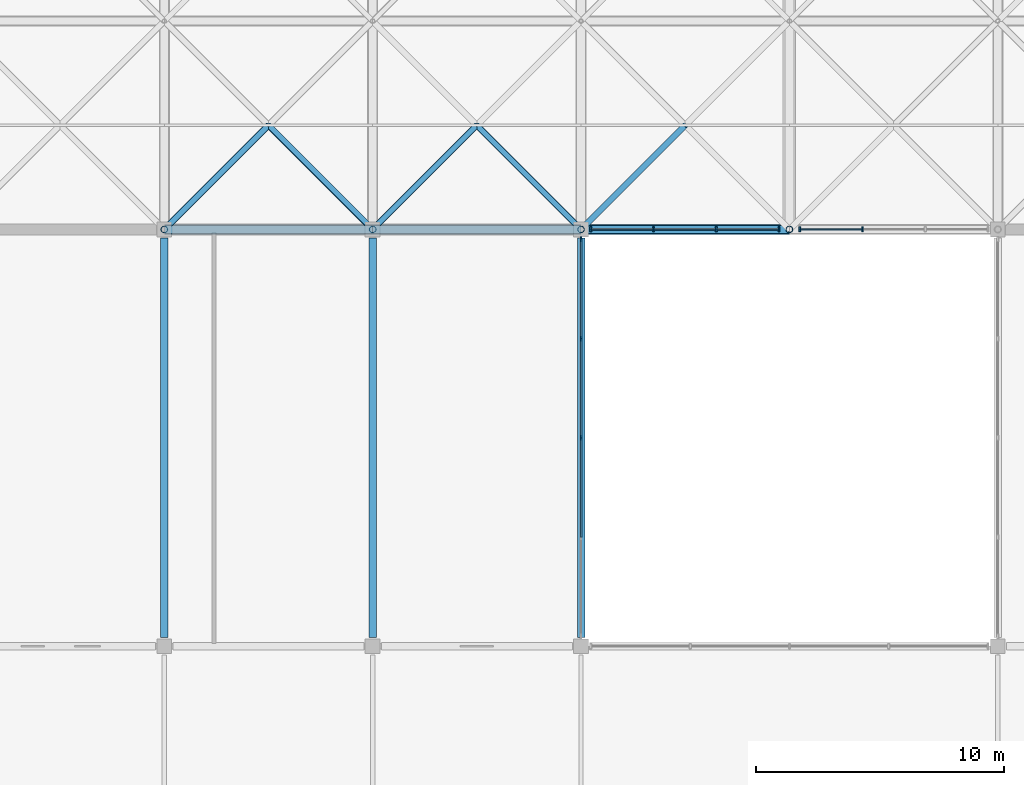
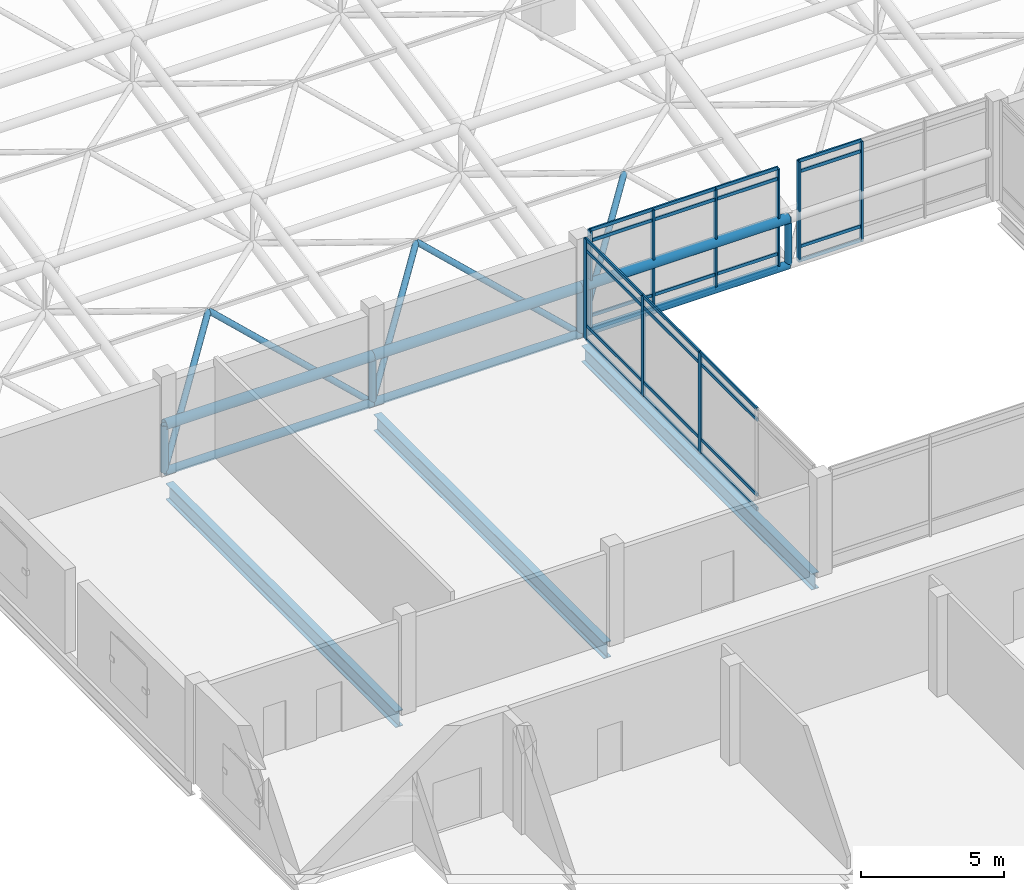
# One storey, part 9 of 81: 52 members, 3 beams, 3 elements without a shape of their own.
"""IFC4 building model written with IfcOpenShell, lengths in metres."""

import ifcopenshell
import ifcopenshell.guid

model = None  # the IFC model being written
_history = None  # IfcOwnerHistory: only IFC2X3 demands one
_inside = {}  # id of a spatial element -> (the spatial element, [elements in it])
_under = {}  # id of a project, library or spatial element -> (it, [spatial elements below it])
_declared = {}  # id of a project -> (the project, [libraries it declares])
_typed = {}  # id of a type object -> (the type object, [elements of that type])
_made_of = {}  # id of a material, layer set ... -> (it, [elements and type objects made of it])


def new_model(schema):
    """Start an empty IFC model of exactly this schema.

    Asked for "IFC4X3", IfcOpenShell would pick the latest addendum, in which some entities
    have other attributes; the version numbers below select the first issue.
    IFC2X3 requires an IfcOwnerHistory on every rooted entity: one is made here for all.
    """
    global model, _history
    if schema == "IFC4X3":
        model = ifcopenshell.file(schema_version=(4, 3, 0, 0))
    else:
        model = ifcopenshell.file(schema=schema)
    _inside.clear()
    _under.clear()
    _declared.clear()
    _typed.clear()
    _made_of.clear()
    _history = None
    if model.schema == "IFC2X3":
        org = make("IfcOrganization", Name="unknown")
        user = make(
            "IfcPersonAndOrganization",
            ThePerson=make("IfcPerson", FamilyName="unknown"),
            TheOrganization=org,
        )
        app = make(
            "IfcApplication",
            ApplicationDeveloper=org,
            Version="unknown",
            ApplicationFullName="unknown",
            ApplicationIdentifier="unknown",
        )
        _history = make(
            "IfcOwnerHistory",
            OwningUser=user,
            OwningApplication=app,
            ChangeAction="ADDED",
            CreationDate=0,
        )
    return model


def make(cls, **values):
    """One entity of the class cls with the attributes given. An attribute that is None is left unset."""
    return model.create_entity(
        cls, **{name: value for name, value in values.items() if value is not None}
    )


def rooted(cls, **values):
    """An entity with a GlobalId (a new one), such as an element, a storey or a relation."""
    return make(cls, GlobalId=ifcopenshell.guid.new(), OwnerHistory=_history, **values)


def si_unit(unit_type, name, prefix=None):
    """IfcSIUnit, for example si_unit("LENGTHUNIT", "METRE", prefix="MILLI")."""
    return make("IfcSIUnit", UnitType=unit_type, Prefix=prefix, Name=name)


def assignment(units):
    """IfcUnitAssignment: the units of a project."""
    return None if units is None else make("IfcUnitAssignment", Units=units)


def point(xyz):
    """IfcCartesianPoint."""
    return None if xyz is None else make("IfcCartesianPoint", Coordinates=xyz)


def direction(xyz):
    """IfcDirection."""
    return None if xyz is None else make("IfcDirection", DirectionRatios=xyz)


def frame(location, z_axis=None, x_axis=None):
    """IfcAxis2Placement3D, a coordinate frame: its origin and axes. An axis left out is left unset."""
    return make(
        "IfcAxis2Placement3D",
        Location=point(location),
        Axis=direction(z_axis),
        RefDirection=direction(x_axis),
    )


def frame_2d(location, x_axis=None):
    """IfcAxis2Placement2D, a coordinate frame in the plane: its origin and x axis."""
    return make(
        "IfcAxis2Placement2D", Location=point(location), RefDirection=direction(x_axis)
    )


def origin():
    """The frame at (0, 0, 0) with its axes left unset."""
    return frame((0.0, 0.0, 0.0))


def origin_2d():
    """The frame at (0, 0) in the plane with its x axis left unset."""
    return frame_2d((0.0, 0.0))


def place(relative_to, where):
    """IfcLocalPlacement: puts the frame where relative to a parent placement (None: the world)."""
    return make(
        "IfcLocalPlacement", PlacementRelTo=relative_to, RelativePlacement=where
    )


def context(
    kind, dimensions, precision=None, world=None, true_north=None, identifier=None
):
    """IfcGeometricRepresentationContext, for example the 3D "Model" context."""
    return make(
        "IfcGeometricRepresentationContext",
        ContextIdentifier=identifier,
        ContextType=kind,
        CoordinateSpaceDimension=dimensions,
        Precision=precision,
        WorldCoordinateSystem=world,
        TrueNorth=true_north,
    )


def subcontext(parent, identifier, kind, view, scale=None):
    """IfcGeometricRepresentationSubContext, for example "Body" below "Model"."""
    return make(
        "IfcGeometricRepresentationSubContext",
        ContextIdentifier=identifier,
        ContextType=kind,
        ParentContext=parent,
        TargetScale=scale,
        TargetView=view,
    )


def project(units=None, contexts=None):
    """IfcProject with its units and contexts."""
    return rooted(
        "IfcProject",
        Name="project",
        RepresentationContexts=contexts,
        UnitsInContext=assignment(units),
    )


def spatial(cls, under=None, at=None, **own):
    """A site, building, storey or space (cls), placed at a placement, below another one or the project."""
    s = rooted(cls, ObjectPlacement=at, **own)
    if under is not None:
        _under.setdefault(under.id(), (under, []))[1].append(s)
    return s


def profile(cls, at=None, kind="AREA", **sizes):
    """A parametric profile (cls). Its sizes go by their IFC names, for example OverallWidth=200.0."""
    return make(cls, ProfileType=kind, Position=at, **sizes)


def rectangle(**sizes):
    """IfcRectangleProfileDef."""
    return profile("IfcRectangleProfileDef", **sizes)


def hollow_circle(**sizes):
    """IfcCircleHollowProfileDef."""
    return profile("IfcCircleHollowProfileDef", **sizes)


def i_section(**sizes):
    """IfcIShapeProfileDef."""
    return profile("IfcIShapeProfileDef", **sizes)


def extrude(swept, where, along, depth):
    """IfcExtrudedAreaSolid: the profile swept, set in the frame where, extruded along a direction by depth."""
    return make(
        "IfcExtrudedAreaSolid",
        SweptArea=swept,
        Position=where,
        ExtrudedDirection=direction(along),
        Depth=depth,
    )


def shape(context_of_items, identifier, shape_type, items):
    """IfcShapeRepresentation: the items that make up one representation, for example the "Body"."""
    return make(
        "IfcShapeRepresentation",
        ContextOfItems=context_of_items,
        RepresentationIdentifier=identifier,
        RepresentationType=shape_type,
        Items=items,
    )


def material(Name=None, Category=None):
    """IfcMaterial."""
    return make("IfcMaterial", Name=Name, Category=Category)


def layer(
    of_material, thickness, ventilated=None, Name=None, Category=None, Priority=None
):
    """IfcMaterialLayer: one layer of a wall or slab, of a material (None: an air gap)."""
    return make(
        "IfcMaterialLayer",
        Material=of_material,
        LayerThickness=thickness,
        IsVentilated=ventilated,
        Name=Name,
        Category=Category,
        Priority=Priority,
    )


def layer_set(layers, Name=None):
    """IfcMaterialLayerSet."""
    return make("IfcMaterialLayerSet", MaterialLayers=layers, LayerSetName=Name)


def material_profile(
    of_material, cross_section, Name=None, Category=None, Priority=None
):
    """IfcMaterialProfile: a cross section and its material."""
    return make(
        "IfcMaterialProfile",
        Name=Name,
        Material=of_material,
        Profile=cross_section,
        Priority=Priority,
        Category=Category,
    )


def profile_set(profiles, Name=None, composite=None):
    """IfcMaterialProfileSet."""
    return make(
        "IfcMaterialProfileSet",
        Name=Name,
        MaterialProfiles=profiles,
        CompositeProfile=composite,
    )


def made_of(thing, what):
    """Note that an element or type object is made of a material, layer set ...; save() writes the relation."""
    if what is not None:
        _made_of.setdefault(what.id(), (what, []))[1].append(thing)
    return thing


def type_object(cls, material=None, **own):
    """A type object (cls), such as IfcWallType, which elements share."""
    return made_of(rooted(cls, **own), material)


def element(
    cls,
    number,
    at=None,
    inside=None,
    cuts=None,
    type_object=None,
    material=None,
    context=None,
    identifier="Body",
    shape_type=None,
    held_by="IfcProductDefinitionShape",
    body=None,
    shapes=None,
    **own,
):
    """One element of the class cls, such as IfcWall. Its Tag is "e" and its number.

    at: its placement. inside: the storey or other place that contains it. cuts: it is an
    opening in that element (IfcRelVoidsElement). A single representation is given by context,
    identifier, shape_type and body (its items); several are given by shapes. held_by: the class
    of the entity that holds the representations. save() writes the other relations.
    """
    e = rooted(cls, Tag="e%d" % number, ObjectPlacement=at, **own)
    if body is not None:
        shapes = [shape(context, identifier, shape_type, body)]
    if shapes is not None:
        e.Representation = make(held_by, Representations=shapes)
    if inside is not None:
        _inside.setdefault(inside.id(), (inside, []))[1].append(e)
    if cuts is not None:
        rooted(
            "IfcRelVoidsElement", RelatingBuildingElement=cuts, RelatedOpeningElement=e
        )
    if type_object is not None:
        _typed.setdefault(type_object.id(), (type_object, []))[1].append(e)
    return made_of(e, material)


def aggregate(whole, parts):
    """IfcRelAggregates: a whole, such as a stair, and the parts it consists of."""
    return rooted("IfcRelAggregates", RelatingObject=whole, RelatedObjects=parts)


def save(model, path):
    """Write the relations noted so far, then the file.

    IfcRelAggregates (storeys below a building ...), IfcRelContainedInSpatialStructure (elements
    in a storey), IfcRelDefinesByType, IfcRelAssociatesMaterial and IfcRelDeclares: one each for
    every whole, place, type object, material and project.
    """
    for whole, parts in _under.values():
        aggregate(whole, parts)
    for where, things in _inside.values():
        rooted(
            "IfcRelContainedInSpatialStructure",
            RelatedElements=things,
            RelatingStructure=where,
        )
    for kind, things in _typed.values():
        rooted("IfcRelDefinesByType", RelatedObjects=things, RelatingType=kind)
    for what, things in _made_of.values():
        rooted("IfcRelAssociatesMaterial", RelatedObjects=things, RelatingMaterial=what)
    for by, libraries in _declared.values():
        rooted("IfcRelDeclares", RelatingContext=by, RelatedDefinitions=libraries)
    model.write(path)


model = new_model("IFC4")

# Units and contexts
model_context = context("Model", 3, precision=1e-05, world=origin(), true_north=direction((0.0, 1.0)))
body_context = subcontext(model_context, "Body", "Model", "MODEL_VIEW")
ifc_project = project(units=[si_unit("LENGTHUNIT", "METRE"), si_unit("AREAUNIT", "SQUARE_METRE"), si_unit("VOLUMEUNIT", "CUBIC_METRE"), si_unit("PLANEANGLEUNIT", "RADIAN"), si_unit("MASSUNIT", "GRAM", prefix="KILO")], contexts=[model_context])

# Site, building, storey
site_placement = place(None, origin())
site = spatial("IfcSite", under=ifc_project, at=site_placement, CompositionType="ELEMENT")
building_placement = place(site_placement, origin())
building = spatial("IfcBuilding", under=site, at=building_placement, Name="Qawsi Khor Wholesale Market", CompositionType="ELEMENT")
storey_placement = place(building_placement, frame((0.0, 0.0, 16.199951171875)))
storey = spatial("IfcBuildingStorey", under=building, at=storey_placement, Name="L03", CompositionType="ELEMENT", Elevation=16.199951171875)

# Curtain wall, members
ifc_material_1 = material(Name="Aluminium Anodised Bronze", Category="aluminium")
ifc_layer = layer(ifc_material_1, 0.179931640625, Name="Aluminium Anodised Bronze")
ifc_layer_set = layer_set([ifc_layer], Name="Aluminium Anodised Bronze")
curtain_wall_type = type_object("IfcCurtainWallType", Name="Atrium Full-Height Curtain Wall CW-02", PredefinedType="NOTDEFINED", material=ifc_layer_set)
curtain_wall_1_placement = place(storey_placement, origin())
curtain_wall_1 = element("IfcCurtainWall", 1, at=curtain_wall_1_placement, inside=storey, type_object=curtain_wall_type, Name="Curtain wall CW-CW-02-L03-027", PredefinedType="NOTDEFINED")
ifc_material_profile_1 = material_profile(ifc_material_1, rectangle(XDim=0.070068359375, YDim=0.199951171875, at=origin_2d()), Name="ALU MULLION 70x200")
ifc_profile_set_1 = profile_set([ifc_material_profile_1], Name="Aluminium Anodised Bronze")
member_type_1 = type_object("IfcMemberType", Name="Curtain Wall Mullion CW-02 ALU MULLION 70x200", PredefinedType="MULLION", material=ifc_profile_set_1)
member_1_placement = place(storey_placement, frame((50.794921875, 42.0, -0.02001953125), z_axis=(0.0, 0.0, 1.0), x_axis=(1.0, 0.0, 0.0)))
member_1 = element("IfcMember", 2, at=member_1_placement, type_object=member_type_1, Name="Mullion CW-CW-02-L03-027-M00", PredefinedType="MULLION", context=body_context, shape_type="SweptSolid", body=[
    extrude(rectangle(XDim=0.070068359375, YDim=0.199951171875, at=origin_2d()), origin(), (0.0, 0.0, 1.0), 4.280029296875),
])
member_2_placement = place(storey_placement, frame((53.3232421875, 42.0, -0.02001953125), z_axis=(0.0, 0.0, 1.0), x_axis=(1.0, 0.0, 0.0)))
member_2 = element("IfcMember", 3, at=member_2_placement, type_object=member_type_1, Name="Mullion CW-CW-02-L03-027-M01", PredefinedType="MULLION", context=body_context, shape_type="SweptSolid", body=[
    extrude(rectangle(XDim=0.070068359375, YDim=0.199951171875, at=origin_2d()), origin(), (0.0, 0.0, 1.0), 4.280029296875),
])
member_3_placement = place(storey_placement, frame((55.851806640625, 42.0, -0.02001953125), z_axis=(0.0, 0.0, 1.0), x_axis=(1.0, 0.0, 0.0)))
member_3 = element("IfcMember", 4, at=member_3_placement, type_object=member_type_1, Name="Mullion CW-CW-02-L03-027-M02", PredefinedType="MULLION", context=body_context, shape_type="SweptSolid", body=[
    extrude(rectangle(XDim=0.070068359375, YDim=0.199951171875, at=origin_2d()), origin(), (0.0, 0.0, 1.0), 4.280029296875),
])
member_4_placement = place(storey_placement, frame((58.3798828125, 42.0, -0.02001953125), z_axis=(0.0, 0.0, 1.0), x_axis=(1.0, 0.0, 0.0)))
member_4 = element("IfcMember", 5, at=member_4_placement, type_object=member_type_1, Name="Mullion CW-CW-02-L03-027-M03", PredefinedType="MULLION", context=body_context, shape_type="SweptSolid", body=[
    extrude(rectangle(XDim=0.070068359375, YDim=0.199951171875, at=origin_2d()), origin(), (0.0, 0.0, 1.0), 4.280029296875),
])

curtain_wall_2_placement = place(storey_placement, origin())
curtain_wall_2 = element("IfcCurtainWall", 6, at=curtain_wall_2_placement, inside=storey, type_object=curtain_wall_type, Name="Curtain wall CW-CW-02-L03-028", PredefinedType="NOTDEFINED")
member_5_placement = place(storey_placement, frame((59.219970703125, 42.0, -0.02001953125), z_axis=(0.0, 0.0, 1.0), x_axis=(1.0, 0.0, 0.0)))
member_5 = element("IfcMember", 7, at=member_5_placement, type_object=member_type_1, Name="Mullion CW-CW-02-L03-028-M00", PredefinedType="MULLION", context=body_context, shape_type="SweptSolid", body=[
    extrude(rectangle(XDim=0.070068359375, YDim=0.199951171875, at=origin_2d()), origin(), (0.0, 0.0, 1.0), 4.280029296875),
])
member_6_placement = place(storey_placement, frame((61.748291015625, 42.0, -0.02001953125), z_axis=(0.0, 0.0, 1.0), x_axis=(1.0, 0.0, 0.0)))
member_6 = element("IfcMember", 8, at=member_6_placement, type_object=member_type_1, Name="Mullion CW-CW-02-L03-028-M01", PredefinedType="MULLION", context=body_context, shape_type="SweptSolid", body=[
    extrude(rectangle(XDim=0.070068359375, YDim=0.199951171875, at=origin_2d()), origin(), (0.0, 0.0, 1.0), 4.280029296875),
])

curtain_wall_3_placement = place(storey_placement, origin())
curtain_wall_3 = element("IfcCurtainWall", 9, at=curtain_wall_3_placement, inside=storey, type_object=curtain_wall_type, Name="Curtain wall CW-CW-02-L03-029", PredefinedType="NOTDEFINED")
member_7_placement = place(storey_placement, frame((50.39990234375, 33.60009765625, -0.02001953125), z_axis=(0.0, 0.0, 1.0), x_axis=(1.0, 0.0, 0.0)))
member_7 = element("IfcMember", 10, at=member_7_placement, type_object=member_type_1, Name="Mullion CW-CW-02-L03-029-M02", PredefinedType="MULLION", context=body_context, shape_type="SweptSolid", body=[
    extrude(rectangle(XDim=0.070068359375, YDim=0.199951171875, at=origin_2d()), origin(), (0.0, 0.0, 1.0), 4.280029296875),
])
member_8_placement = place(storey_placement, frame((50.39990234375, 37.6025390625, -0.02001953125), z_axis=(0.0, 0.0, 1.0), x_axis=(1.0, 0.0, 0.0)))
member_8 = element("IfcMember", 11, at=member_8_placement, type_object=member_type_1, Name="Mullion CW-CW-02-L03-029-M03", PredefinedType="MULLION", context=body_context, shape_type="SweptSolid", body=[
    extrude(rectangle(XDim=0.070068359375, YDim=0.199951171875, at=origin_2d()), origin(), (0.0, 0.0, 1.0), 4.280029296875),
])
member_9_placement = place(storey_placement, frame((50.39990234375, 41.60498046875, -0.02001953125), z_axis=(0.0, 0.0, 1.0), x_axis=(1.0, 0.0, 0.0)))
member_9 = element("IfcMember", 12, at=member_9_placement, type_object=member_type_1, Name="Mullion CW-CW-02-L03-029-M04", PredefinedType="MULLION", context=body_context, shape_type="SweptSolid", body=[
    extrude(rectangle(XDim=0.070068359375, YDim=0.199951171875, at=origin_2d()), origin(), (0.0, 0.0, 1.0), 4.280029296875),
])

# Member
ifc_material_profile_2 = material_profile(ifc_material_1, rectangle(XDim=0.06494140625, YDim=0.139892578125, at=origin_2d()), Name="ALU TRANSOM 65x140")
ifc_profile_set_2 = profile_set([ifc_material_profile_2], Name="Aluminium Anodised Bronze")
member_type_2 = type_object("IfcMemberType", Name="Curtain Wall Transom CW-02 ALU TRANSOM 65x140", PredefinedType="USERDEFINED", material=ifc_profile_set_2)
member_10_placement = place(storey_placement, frame((50.794921875, 42.0, 0.0), z_axis=(1.0, 0.0, 0.0), x_axis=(0.0, 1.0, 0.0)))
member_10 = element("IfcMember", 13, at=member_10_placement, type_object=member_type_2, Name="Transom CW-CW-02-L03-027-T0_00", ObjectType="TRANSOM", PredefinedType="USERDEFINED", context=body_context, shape_type="SweptSolid", body=[
    extrude(rectangle(XDim=0.06494140625, YDim=0.139892578125, at=origin_2d()), origin(), (0.0, 0.0, 1.0), 2.5283203125),
])

member_11_placement = place(storey_placement, frame((53.3232421875, 42.0, 0.0), z_axis=(1.0, 0.0, 0.0), x_axis=(0.0, 1.0, 0.0)))
member_11 = element("IfcMember", 14, at=member_11_placement, type_object=member_type_2, Name="Transom CW-CW-02-L03-027-T0_01", ObjectType="TRANSOM", PredefinedType="USERDEFINED", context=body_context, shape_type="SweptSolid", body=[
    extrude(rectangle(XDim=0.06494140625, YDim=0.139892578125, at=origin_2d()), origin(), (0.0, 0.0, 1.0), 2.528564453125),
])

member_12_placement = place(storey_placement, frame((55.851806640625, 42.0, 0.0), z_axis=(1.0, 0.0, 0.0), x_axis=(0.0, 1.0, 0.0)))
member_12 = element("IfcMember", 15, at=member_12_placement, type_object=member_type_2, Name="Transom CW-CW-02-L03-027-T0_02", ObjectType="TRANSOM", PredefinedType="USERDEFINED", context=body_context, shape_type="SweptSolid", body=[
    extrude(rectangle(XDim=0.06494140625, YDim=0.139892578125, at=origin_2d()), origin(), (0.0, 0.0, 1.0), 2.528076171875),
])

member_13_placement = place(storey_placement, frame((50.794921875, 42.0, 0.60009765625), z_axis=(1.0, 0.0, 0.0), x_axis=(0.0, 1.0, 0.0)))
member_13 = element("IfcMember", 16, at=member_13_placement, type_object=member_type_2, Name="Transom CW-CW-02-L03-027-T1_00", ObjectType="TRANSOM", PredefinedType="USERDEFINED", context=body_context, shape_type="SweptSolid", body=[
    extrude(rectangle(XDim=0.06494140625, YDim=0.139892578125, at=origin_2d()), origin(), (0.0, 0.0, 1.0), 2.5283203125),
])

member_14_placement = place(storey_placement, frame((53.3232421875, 42.0, 0.60009765625), z_axis=(1.0, 0.0, 0.0), x_axis=(0.0, 1.0, 0.0)))
member_14 = element("IfcMember", 17, at=member_14_placement, type_object=member_type_2, Name="Transom CW-CW-02-L03-027-T1_01", ObjectType="TRANSOM", PredefinedType="USERDEFINED", context=body_context, shape_type="SweptSolid", body=[
    extrude(rectangle(XDim=0.06494140625, YDim=0.139892578125, at=origin_2d()), origin(), (0.0, 0.0, 1.0), 2.528564453125),
])

member_15_placement = place(storey_placement, frame((55.851806640625, 42.0, 0.60009765625), z_axis=(1.0, 0.0, 0.0), x_axis=(0.0, 1.0, 0.0)))
member_15 = element("IfcMember", 18, at=member_15_placement, type_object=member_type_2, Name="Transom CW-CW-02-L03-027-T1_02", ObjectType="TRANSOM", PredefinedType="USERDEFINED", context=body_context, shape_type="SweptSolid", body=[
    extrude(rectangle(XDim=0.06494140625, YDim=0.139892578125, at=origin_2d()), origin(), (0.0, 0.0, 1.0), 2.528076171875),
])

member_16_placement = place(storey_placement, frame((50.794921875, 42.0, 3.81005859375), z_axis=(1.0, 0.0, 0.0), x_axis=(0.0, 1.0, 0.0)))
member_16 = element("IfcMember", 19, at=member_16_placement, type_object=member_type_2, Name="Transom CW-CW-02-L03-027-T2_00", ObjectType="TRANSOM", PredefinedType="USERDEFINED", context=body_context, shape_type="SweptSolid", body=[
    extrude(rectangle(XDim=0.06494140625, YDim=0.139892578125, at=origin_2d()), origin(), (0.0, 0.0, 1.0), 2.5283203125),
])

member_17_placement = place(storey_placement, frame((53.3232421875, 42.0, 3.81005859375), z_axis=(1.0, 0.0, 0.0), x_axis=(0.0, 1.0, 0.0)))
member_17 = element("IfcMember", 20, at=member_17_placement, type_object=member_type_2, Name="Transom CW-CW-02-L03-027-T2_01", ObjectType="TRANSOM", PredefinedType="USERDEFINED", context=body_context, shape_type="SweptSolid", body=[
    extrude(rectangle(XDim=0.06494140625, YDim=0.139892578125, at=origin_2d()), origin(), (0.0, 0.0, 1.0), 2.528564453125),
])

member_18_placement = place(storey_placement, frame((55.851806640625, 42.0, 3.81005859375), z_axis=(1.0, 0.0, 0.0), x_axis=(0.0, 1.0, 0.0)))
member_18 = element("IfcMember", 21, at=member_18_placement, type_object=member_type_2, Name="Transom CW-CW-02-L03-027-T2_02", ObjectType="TRANSOM", PredefinedType="USERDEFINED", context=body_context, shape_type="SweptSolid", body=[
    extrude(rectangle(XDim=0.06494140625, YDim=0.139892578125, at=origin_2d()), origin(), (0.0, 0.0, 1.0), 2.528076171875),
])

member_19_placement = place(storey_placement, frame((50.794921875, 42.0, 4.260009765625), z_axis=(1.0, 0.0, 0.0), x_axis=(0.0, 1.0, 0.0)))
member_19 = element("IfcMember", 22, at=member_19_placement, type_object=member_type_2, Name="Transom CW-CW-02-L03-027-T3_00", ObjectType="TRANSOM", PredefinedType="USERDEFINED", context=body_context, shape_type="SweptSolid", body=[
    extrude(rectangle(XDim=0.06494140625, YDim=0.139892578125, at=origin_2d()), origin(), (0.0, 0.0, 1.0), 2.5283203125),
])

member_20_placement = place(storey_placement, frame((53.3232421875, 42.0, 4.260009765625), z_axis=(1.0, 0.0, 0.0), x_axis=(0.0, 1.0, 0.0)))
member_20 = element("IfcMember", 23, at=member_20_placement, type_object=member_type_2, Name="Transom CW-CW-02-L03-027-T3_01", ObjectType="TRANSOM", PredefinedType="USERDEFINED", context=body_context, shape_type="SweptSolid", body=[
    extrude(rectangle(XDim=0.06494140625, YDim=0.139892578125, at=origin_2d()), origin(), (0.0, 0.0, 1.0), 2.528564453125),
])

member_21_placement = place(storey_placement, frame((55.851806640625, 42.0, 4.260009765625), z_axis=(1.0, 0.0, 0.0), x_axis=(0.0, 1.0, 0.0)))
member_21 = element("IfcMember", 24, at=member_21_placement, type_object=member_type_2, Name="Transom CW-CW-02-L03-027-T3_02", ObjectType="TRANSOM", PredefinedType="USERDEFINED", context=body_context, shape_type="SweptSolid", body=[
    extrude(rectangle(XDim=0.06494140625, YDim=0.139892578125, at=origin_2d()), origin(), (0.0, 0.0, 1.0), 2.528076171875),
])

aggregate(curtain_wall_1, [member_1, member_2, member_3, member_4, member_10, member_11, member_12, member_13, member_14, member_15, member_16, member_17, member_18, member_19, member_20, member_21])

member_22_placement = place(storey_placement, frame((59.219970703125, 42.0, 0.0), z_axis=(1.0, 0.0, 0.0), x_axis=(0.0, 1.0, 0.0)))
member_22 = element("IfcMember", 25, at=member_22_placement, type_object=member_type_2, Name="Transom CW-CW-02-L03-028-T0_00", ObjectType="TRANSOM", PredefinedType="USERDEFINED", context=body_context, shape_type="SweptSolid", body=[
    extrude(rectangle(XDim=0.06494140625, YDim=0.139892578125, at=origin_2d()), origin(), (0.0, 0.0, 1.0), 2.5283203125),
])

member_23_placement = place(storey_placement, frame((59.219970703125, 42.0, 0.60009765625), z_axis=(1.0, 0.0, 0.0), x_axis=(0.0, 1.0, 0.0)))
member_23 = element("IfcMember", 26, at=member_23_placement, type_object=member_type_2, Name="Transom CW-CW-02-L03-028-T1_00", ObjectType="TRANSOM", PredefinedType="USERDEFINED", context=body_context, shape_type="SweptSolid", body=[
    extrude(rectangle(XDim=0.06494140625, YDim=0.139892578125, at=origin_2d()), origin(), (0.0, 0.0, 1.0), 2.5283203125),
])

member_24_placement = place(storey_placement, frame((59.219970703125, 42.0, 3.81005859375), z_axis=(1.0, 0.0, 0.0), x_axis=(0.0, 1.0, 0.0)))
member_24 = element("IfcMember", 27, at=member_24_placement, type_object=member_type_2, Name="Transom CW-CW-02-L03-028-T2_00", ObjectType="TRANSOM", PredefinedType="USERDEFINED", context=body_context, shape_type="SweptSolid", body=[
    extrude(rectangle(XDim=0.06494140625, YDim=0.139892578125, at=origin_2d()), origin(), (0.0, 0.0, 1.0), 2.5283203125),
])

member_25_placement = place(storey_placement, frame((59.219970703125, 42.0, 4.260009765625), z_axis=(1.0, 0.0, 0.0), x_axis=(0.0, 1.0, 0.0)))
member_25 = element("IfcMember", 28, at=member_25_placement, type_object=member_type_2, Name="Transom CW-CW-02-L03-028-T3_00", ObjectType="TRANSOM", PredefinedType="USERDEFINED", context=body_context, shape_type="SweptSolid", body=[
    extrude(rectangle(XDim=0.06494140625, YDim=0.139892578125, at=origin_2d()), origin(), (0.0, 0.0, 1.0), 2.5283203125),
])

aggregate(curtain_wall_2, [member_5, member_6, member_22, member_23, member_24, member_25])

member_26_placement = place(storey_placement, frame((50.39990234375, 29.597412109375, 0.0), z_axis=(0.0, 1.0, 0.0), x_axis=(-1.0, 0.0, 0.0)))
member_26 = element("IfcMember", 29, at=member_26_placement, type_object=member_type_2, Name="Transom CW-CW-02-L03-029-T0_01", ObjectType="TRANSOM", PredefinedType="USERDEFINED", context=body_context, shape_type="SweptSolid", body=[
    extrude(rectangle(XDim=0.06494140625, YDim=0.139892578125, at=origin_2d()), origin(), (0.0, 0.0, 1.0), 4.002685546875),
])

member_27_placement = place(storey_placement, frame((50.39990234375, 33.60009765625, 0.0), z_axis=(0.0, 1.0, 0.0), x_axis=(-1.0, 0.0, 0.0)))
member_27 = element("IfcMember", 30, at=member_27_placement, type_object=member_type_2, Name="Transom CW-CW-02-L03-029-T0_02", ObjectType="TRANSOM", PredefinedType="USERDEFINED", context=body_context, shape_type="SweptSolid", body=[
    extrude(rectangle(XDim=0.06494140625, YDim=0.139892578125, at=origin_2d()), origin(), (0.0, 0.0, 1.0), 4.00244140625),
])

member_28_placement = place(storey_placement, frame((50.39990234375, 37.6025390625, 0.0), z_axis=(0.0, 1.0, 0.0), x_axis=(-1.0, 0.0, 0.0)))
member_28 = element("IfcMember", 31, at=member_28_placement, type_object=member_type_2, Name="Transom CW-CW-02-L03-029-T0_03", ObjectType="TRANSOM", PredefinedType="USERDEFINED", context=body_context, shape_type="SweptSolid", body=[
    extrude(rectangle(XDim=0.06494140625, YDim=0.139892578125, at=origin_2d()), origin(), (0.0, 0.0, 1.0), 4.00244140625),
])

member_29_placement = place(storey_placement, frame((50.39990234375, 29.597412109375, 0.60009765625), z_axis=(0.0, 1.0, 0.0), x_axis=(-1.0, 0.0, 0.0)))
member_29 = element("IfcMember", 32, at=member_29_placement, type_object=member_type_2, Name="Transom CW-CW-02-L03-029-T1_01", ObjectType="TRANSOM", PredefinedType="USERDEFINED", context=body_context, shape_type="SweptSolid", body=[
    extrude(rectangle(XDim=0.06494140625, YDim=0.139892578125, at=origin_2d()), origin(), (0.0, 0.0, 1.0), 4.002685546875),
])

member_30_placement = place(storey_placement, frame((50.39990234375, 33.60009765625, 0.60009765625), z_axis=(0.0, 1.0, 0.0), x_axis=(-1.0, 0.0, 0.0)))
member_30 = element("IfcMember", 33, at=member_30_placement, type_object=member_type_2, Name="Transom CW-CW-02-L03-029-T1_02", ObjectType="TRANSOM", PredefinedType="USERDEFINED", context=body_context, shape_type="SweptSolid", body=[
    extrude(rectangle(XDim=0.06494140625, YDim=0.139892578125, at=origin_2d()), origin(), (0.0, 0.0, 1.0), 4.00244140625),
])

member_31_placement = place(storey_placement, frame((50.39990234375, 37.6025390625, 0.60009765625), z_axis=(0.0, 1.0, 0.0), x_axis=(-1.0, 0.0, 0.0)))
member_31 = element("IfcMember", 34, at=member_31_placement, type_object=member_type_2, Name="Transom CW-CW-02-L03-029-T1_03", ObjectType="TRANSOM", PredefinedType="USERDEFINED", context=body_context, shape_type="SweptSolid", body=[
    extrude(rectangle(XDim=0.06494140625, YDim=0.139892578125, at=origin_2d()), origin(), (0.0, 0.0, 1.0), 4.00244140625),
])

member_32_placement = place(storey_placement, frame((50.39990234375, 29.597412109375, 3.81005859375), z_axis=(0.0, 1.0, 0.0), x_axis=(-1.0, 0.0, 0.0)))
member_32 = element("IfcMember", 35, at=member_32_placement, type_object=member_type_2, Name="Transom CW-CW-02-L03-029-T2_01", ObjectType="TRANSOM", PredefinedType="USERDEFINED", context=body_context, shape_type="SweptSolid", body=[
    extrude(rectangle(XDim=0.06494140625, YDim=0.139892578125, at=origin_2d()), origin(), (0.0, 0.0, 1.0), 4.002685546875),
])

member_33_placement = place(storey_placement, frame((50.39990234375, 33.60009765625, 3.81005859375), z_axis=(0.0, 1.0, 0.0), x_axis=(-1.0, 0.0, 0.0)))
member_33 = element("IfcMember", 36, at=member_33_placement, type_object=member_type_2, Name="Transom CW-CW-02-L03-029-T2_02", ObjectType="TRANSOM", PredefinedType="USERDEFINED", context=body_context, shape_type="SweptSolid", body=[
    extrude(rectangle(XDim=0.06494140625, YDim=0.139892578125, at=origin_2d()), origin(), (0.0, 0.0, 1.0), 4.00244140625),
])

member_34_placement = place(storey_placement, frame((50.39990234375, 37.6025390625, 3.81005859375), z_axis=(0.0, 1.0, 0.0), x_axis=(-1.0, 0.0, 0.0)))
member_34 = element("IfcMember", 37, at=member_34_placement, type_object=member_type_2, Name="Transom CW-CW-02-L03-029-T2_03", ObjectType="TRANSOM", PredefinedType="USERDEFINED", context=body_context, shape_type="SweptSolid", body=[
    extrude(rectangle(XDim=0.06494140625, YDim=0.139892578125, at=origin_2d()), origin(), (0.0, 0.0, 1.0), 4.00244140625),
])

member_35_placement = place(storey_placement, frame((50.39990234375, 29.597412109375, 4.260009765625), z_axis=(0.0, 1.0, 0.0), x_axis=(-1.0, 0.0, 0.0)))
member_35 = element("IfcMember", 38, at=member_35_placement, type_object=member_type_2, Name="Transom CW-CW-02-L03-029-T3_01", ObjectType="TRANSOM", PredefinedType="USERDEFINED", context=body_context, shape_type="SweptSolid", body=[
    extrude(rectangle(XDim=0.06494140625, YDim=0.139892578125, at=origin_2d()), origin(), (0.0, 0.0, 1.0), 4.002685546875),
])

member_36_placement = place(storey_placement, frame((50.39990234375, 33.60009765625, 4.260009765625), z_axis=(0.0, 1.0, 0.0), x_axis=(-1.0, 0.0, 0.0)))
member_36 = element("IfcMember", 39, at=member_36_placement, type_object=member_type_2, Name="Transom CW-CW-02-L03-029-T3_02", ObjectType="TRANSOM", PredefinedType="USERDEFINED", context=body_context, shape_type="SweptSolid", body=[
    extrude(rectangle(XDim=0.06494140625, YDim=0.139892578125, at=origin_2d()), origin(), (0.0, 0.0, 1.0), 4.00244140625),
])

member_37_placement = place(storey_placement, frame((50.39990234375, 37.6025390625, 4.260009765625), z_axis=(0.0, 1.0, 0.0), x_axis=(-1.0, 0.0, 0.0)))
member_37 = element("IfcMember", 40, at=member_37_placement, type_object=member_type_2, Name="Transom CW-CW-02-L03-029-T3_03", ObjectType="TRANSOM", PredefinedType="USERDEFINED", context=body_context, shape_type="SweptSolid", body=[
    extrude(rectangle(XDim=0.06494140625, YDim=0.139892578125, at=origin_2d()), origin(), (0.0, 0.0, 1.0), 4.00244140625),
])

aggregate(curtain_wall_3, [member_7, member_8, member_9, member_26, member_27, member_28, member_29, member_30, member_31, member_32, member_33, member_34, member_35, member_36, member_37])

# Beams
ifc_material_2 = material(Name="Steel S355", Category="steel")
ifc_material_profile_3 = material_profile(ifc_material_2, i_section(OverallWidth=0.300048828125, OverallDepth=0.68994140625, WebThickness=0.014404296875, FlangeThickness=0.027099609375, FilletRadius=0.027099609375, at=origin_2d()), Name="HEA 700")
ifc_profile_set_3 = profile_set([ifc_material_profile_3], Name="Steel S355")
beam_type = type_object("IfcBeamType", Name="Primary Girder HEA 700", PredefinedType="BEAM", material=ifc_profile_set_3)
for number, where, z_axis, x_axis, name in (
    (41, (33.60009765625, 25.550048828125, -0.625), (0.0, 1.0, 0.0), (-1.0, 0.0, 0.0), "BM-YL-L03-04_+03"),
    (42, (42.0, 25.550048828125, -0.625), (0.0, 1.0, 0.0), (-1.0, 0.0, 0.0), "BM-YL-L03-05_+03"),
    (43, (50.39990234375, 25.550048828125, -0.625), (0.0, 1.0, 0.0), (-1.0, 0.0, 0.0), "BM-YL-L03-06_+03"),
):
    element("IfcBeam", number, at=place(storey_placement, frame(where, z_axis=z_axis, x_axis=x_axis)), inside=storey, type_object=beam_type, Name=name, PredefinedType="BEAM", context=body_context, shape_type="SweptSolid", body=[
        extrude(i_section(OverallWidth=0.300048828125, OverallDepth=0.68994140625, WebThickness=0.014404296875, FlangeThickness=0.027099609375, FilletRadius=0.027099609375, at=origin_2d()), origin(), (0.0, 0.0, 1.0), 16.099853515625),
    ])

# Members
ifc_material_profile_4 = material_profile(ifc_material_2, hollow_circle(Radius=0.136474609375, WallThickness=0.012451171875, at=origin_2d()), Name="CHS 273.0x12.5")
ifc_profile_set_4 = profile_set([ifc_material_profile_4], Name="Steel S355")
member_type_3 = type_object("IfcMemberType", Name="Space-Frame Edge Post CHS 273.0x12.5", PredefinedType="POST", material=ifc_profile_set_4)
for number, where, z_axis, x_axis, name in (
    (44, (33.60009765625, 42.0, -0.030029296875), (0.0, 0.0, 1.0), (1.0, 0.0, 0.0), "Space frame post WH (4,5)"),
    (45, (42.0, 42.0, -0.030029296875), (0.0, 0.0, 1.0), (1.0, 0.0, 0.0), "Space frame post WH (5,5)"),
    (46, (50.39990234375, 42.0, -0.030029296875), (0.0, 0.0, 1.0), (1.0, 0.0, 0.0), "Space frame post WH (6,5)"),
    (47, (58.800048828125, 42.0, -0.030029296875), (0.0, 0.0, 1.0), (1.0, 0.0, 0.0), "Space frame post WH (7,5)"),
):
    element("IfcMember", number, at=place(storey_placement, frame(where, z_axis=z_axis, x_axis=x_axis)), inside=storey, type_object=member_type_3, Name=name, PredefinedType="POST", context=body_context, shape_type="SweptSolid", body=[
        extrude(hollow_circle(Radius=0.136474609375, WallThickness=0.012451171875, at=origin_2d()), origin(), (0.0, 0.0, 1.0), 2.0),
    ])
ifc_material_profile_5 = material_profile(ifc_material_2, hollow_circle(Radius=0.122314453125, WallThickness=0.012451171875, at=origin_2d()), Name="CHS 244.5x12.5")
ifc_profile_set_5 = profile_set([ifc_material_profile_5], Name="Steel S355")
member_type_4 = type_object("IfcMemberType", Name="Space-Frame Heavy Diagonal CHS 244.5x12.5", PredefinedType="POST", material=ifc_profile_set_5)
for number, where, z_axis, x_axis, name in (
    (48, (33.60009765625, 42.0, -0.030029296875), (0.637511741089, 0.637511741089, 0.432617105474), (-0.707106781187, 0.707106781187, 0.0), "Space frame diagonal WH (4,5)-1"),
    (49, (42.0, 42.0, -0.030029296875), (-0.637511741089, 0.637511741089, 0.432617105474), (-0.707106781187, -0.707106781187, 0.0), "Space frame diagonal WH (4,5)-2"),
    (50, (42.0, 42.0, -0.030029296875), (0.637511741089, 0.637511741089, 0.432617105474), (-0.707106781187, 0.707106781187, 0.0), "Space frame diagonal WH (5,5)-1"),
    (51, (50.39990234375, 42.0, -0.030029296875), (-0.637511741089, 0.637511741089, 0.432617105474), (-0.707106781187, -0.707106781187, 0.0), "Space frame diagonal WH (5,5)-2"),
    (52, (50.39990234375, 42.0, -0.030029296875), (0.637533737254, 0.637496679957, 0.432606884951), (-0.70708622964, 0.707127332136, 0.0), "Space frame diagonal WH (6,5)-1"),
):
    element("IfcMember", number, at=place(storey_placement, frame(where, z_axis=z_axis, x_axis=x_axis)), inside=storey, type_object=member_type_4, Name=name, PredefinedType="POST", context=body_context, shape_type="SweptSolid", body=[
        extrude(hollow_circle(Radius=0.122314453125, WallThickness=0.012451171875, at=origin_2d()), origin(), (0.0, 0.0, 1.0), 6.588134765625),
    ])
ifc_material_profile_6 = material_profile(ifc_material_2, hollow_circle(Radius=0.161865234375, WallThickness=0.01611328125, at=origin_2d()), Name="CHS 323.9x16.0")
ifc_profile_set_6 = profile_set([ifc_material_profile_6], Name="Steel S355")
member_type_5 = type_object("IfcMemberType", Name="Space-Frame Secondary Chord CHS 323.9x16.0", PredefinedType="CHORD", material=ifc_profile_set_6)
for number, where, z_axis, x_axis, name in (
    (53, (33.60009765625, 42.0, -0.030029296875), (1.0, 0.0, 0.0), (0.0, 1.0, 0.0), "Space frame bottom chord X WH (4,5)"),
    (54, (42.0, 42.0, -0.030029296875), (1.0, 0.0, 0.0), (0.0, 1.0, 0.0), "Space frame bottom chord X WH (5,5)"),
):
    element("IfcMember", number, at=place(storey_placement, frame(where, z_axis=z_axis, x_axis=x_axis)), inside=storey, type_object=member_type_5, Name=name, PredefinedType="CHORD", context=body_context, shape_type="SweptSolid", body=[
        extrude(hollow_circle(Radius=0.161865234375, WallThickness=0.01611328125, at=origin_2d()), origin(), (0.0, 0.0, 1.0), 8.39990234375),
    ])
member_38_placement = place(storey_placement, frame((50.39990234375, 42.0, -0.030029296875), z_axis=(1.0, 0.0, 0.0), x_axis=(0.0, 1.0, 0.0)))
element("IfcMember", 55, at=member_38_placement, inside=storey, type_object=member_type_5, Name="Space frame bottom chord X WH (6,5)", PredefinedType="CHORD", context=body_context, shape_type="SweptSolid", body=[
    extrude(hollow_circle(Radius=0.161865234375, WallThickness=0.01611328125, at=origin_2d()), origin(), (0.0, 0.0, 1.0), 8.400146484375),
])
ifc_material_profile_7 = material_profile(ifc_material_2, hollow_circle(Radius=0.203125, WallThickness=0.02001953125, at=origin_2d()), Name="CHS 406.4x20.0")
ifc_profile_set_7 = profile_set([ifc_material_profile_7], Name="Steel S355")
member_type_6 = type_object("IfcMemberType", Name="Space-Frame Top Chord CHS 406.4x20.0", PredefinedType="CHORD", material=ifc_profile_set_7)
for number, where, z_axis, x_axis, name in (
    (56, (33.60009765625, 42.0, 1.969970703125), (1.0, 0.0, 0.0), (0.0, 1.0, 0.0), "Space frame top chord X WH (4,5)"),
    (57, (42.0, 42.0, 1.969970703125), (1.0, 0.0, 0.0), (0.0, 1.0, 0.0), "Space frame top chord X WH (5,5)"),
):
    element("IfcMember", number, at=place(storey_placement, frame(where, z_axis=z_axis, x_axis=x_axis)), inside=storey, type_object=member_type_6, Name=name, PredefinedType="CHORD", context=body_context, shape_type="SweptSolid", body=[
        extrude(hollow_circle(Radius=0.203125, WallThickness=0.02001953125, at=origin_2d()), origin(), (0.0, 0.0, 1.0), 8.39990234375),
    ])
member_39_placement = place(storey_placement, frame((50.39990234375, 42.0, 1.969970703125), z_axis=(1.0, 0.0, 0.0), x_axis=(0.0, 1.0, 0.0)))
element("IfcMember", 58, at=member_39_placement, inside=storey, type_object=member_type_6, Name="Space frame top chord X WH (6,5)", PredefinedType="CHORD", context=body_context, shape_type="SweptSolid", body=[
    extrude(hollow_circle(Radius=0.203125, WallThickness=0.02001953125, at=origin_2d()), origin(), (0.0, 0.0, 1.0), 8.400146484375),
])

save(model, "model.ifc")
